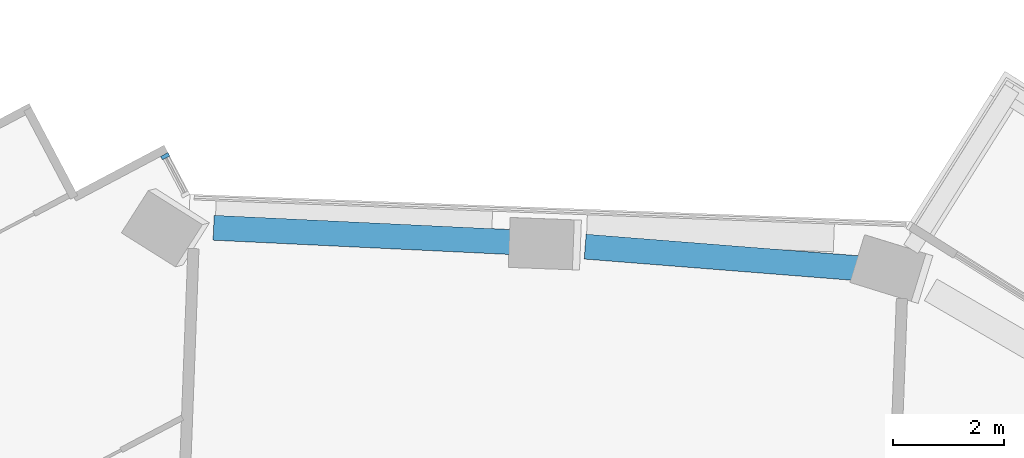
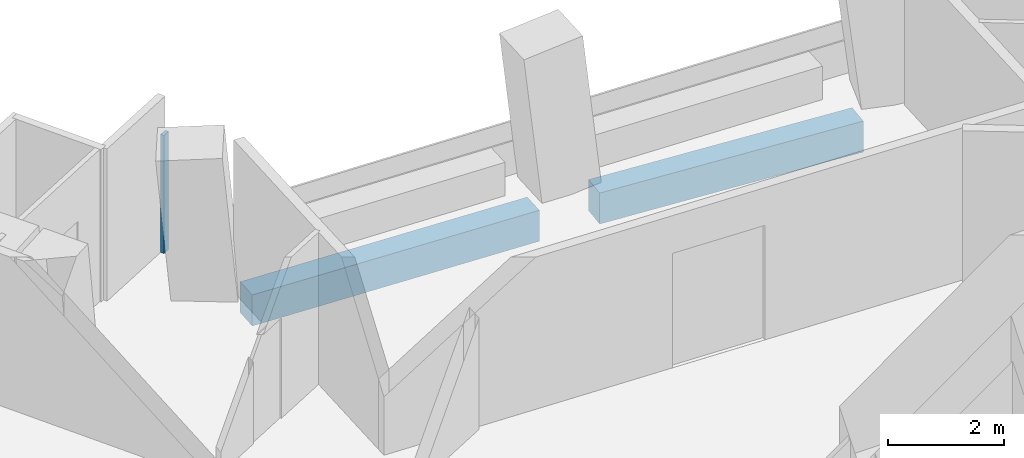
# One storey, part 8 of 23: 2 beams, 1 member, 1 element without a shape of its own.
"""IFC4 building model written with IfcOpenShell, lengths in metres."""

from ifc_helpers import new_model, si_unit, direction, frame, origin, origin_2d, place, context, subcontext, project, spatial, rectangle, extrude, material, layer, layer_set, material_profile, profile_set, type_object, element, aggregate, save


model = new_model("IFC4")

# Units and contexts
model_context = context("Model", 3, precision=1e-05, world=origin(), true_north=direction((0.0, 1.0)))
body_context = subcontext(model_context, "Body", "Model", "MODEL_VIEW")
ifc_project = project(units=[si_unit("LENGTHUNIT", "METRE"), si_unit("AREAUNIT", "SQUARE_METRE"), si_unit("VOLUMEUNIT", "CUBIC_METRE"), si_unit("PLANEANGLEUNIT", "RADIAN"), si_unit("MASSUNIT", "GRAM", prefix="KILO")], contexts=[model_context])

# Site, building, storey
site_placement = place(None, origin())
site = spatial("IfcSite", under=ifc_project, at=site_placement, CompositionType="ELEMENT")
building_placement = place(site_placement, origin())
building = spatial("IfcBuilding", under=site, at=building_placement, Name="Verdalira Terraces Hotel", CompositionType="ELEMENT")
storey_placement = place(building_placement, frame((0.0, 0.0, 147.0)))
storey = spatial("IfcBuildingStorey", under=building, at=storey_placement, Name="L35", CompositionType="ELEMENT", Elevation=147.0)

# Curtain wall, member
ifc_material_1 = material(Name="Clear glass", Category="glass")
ifc_layer = layer(ifc_material_1, 0.14990234375)
ifc_layer_set = layer_set([ifc_layer], Name="CW2 curtain wall")
curtain_wall_type = type_object("IfcCurtainWallType", Name="CW2 curtain wall", PredefinedType="NOTDEFINED", material=ifc_layer_set)
curtain_wall_placement = place(storey_placement, origin())
curtain_wall = element("IfcCurtainWall", 1, at=curtain_wall_placement, inside=storey, type_object=curtain_wall_type, Name="CW2 curtain wall L35 edge 0", PredefinedType="NOTDEFINED")
ifc_material_2 = material(Name="Terracotta frame", Category="masonry")
ifc_material_profile_1 = material_profile(ifc_material_2, rectangle(XDim=0.070068, YDim=0.149902, at=origin_2d()), Name="MU 70x150")
ifc_profile_set_1 = profile_set([ifc_material_profile_1], Name="Terracotta frame")
member_type = type_object("IfcMemberType", Name="CW2 mullion 70x150", PredefinedType="MULLION", material=ifc_profile_set_1)
member_placement = place(storey_placement, frame((-6.028076, 25.171631, 0.0), z_axis=(0.0, 0.0, 1.0), x_axis=(-0.467004081, 0.88425516, 0.0)))
member = element("IfcMember", 2, at=member_placement, type_object=member_type, Name="CW2 mullion", PredefinedType="MULLION", context=body_context, shape_type="SweptSolid", body=[
    extrude(rectangle(XDim=0.070068, YDim=0.149902, at=origin_2d()), origin(), (0.0, 0.0, 1.0), 2.475098),
])
aggregate(curtain_wall, [member])

# Beams
ifc_material_3 = material(Name="Concrete C50", Category="concrete")
ifc_material_profile_2 = material_profile(ifc_material_3, rectangle(XDim=0.449951, YDim=0.649902, at=origin_2d()), Name="RC 450X650")
ifc_profile_set_2 = profile_set([ifc_material_profile_2], Name="Concrete C50")
beam_type = type_object("IfcBeamType", Name="Spandrel beam RC 450X650 C50", PredefinedType="SPANDREL", material=ifc_profile_set_2)
beam_1_placement = place(storey_placement, frame((6.54541, 23.145996, -0.63501), z_axis=(-0.996878116, 0.078955823, 0.0), x_axis=(-0.078955823, -0.996878116, 0.0)))
element("IfcBeam", 3, at=beam_1_placement, inside=storey, type_object=beam_type, Name="Spandrel beam B22", PredefinedType="SPANDREL", context=body_context, shape_type="SweptSolid", body=[
    extrude(rectangle(XDim=0.449951, YDim=0.649902, at=origin_2d()), origin(), (0.0, 0.0, 1.0), 5.015381),
])
beam_2_placement = place(storey_placement, frame((0.384277, 23.615967, -0.63501), z_axis=(-0.998845614, 0.048035818, 0.0), x_axis=(-0.048035818, -0.998845614, 0.0)))
element("IfcBeam", 4, at=beam_2_placement, inside=storey, type_object=beam_type, Name="Spandrel beam B23", PredefinedType="SPANDREL", context=body_context, shape_type="SweptSolid", body=[
    extrude(rectangle(XDim=0.449951, YDim=0.649902, at=origin_2d()), origin(), (0.0, 0.0, 1.0), 5.544922),
])

save(model, "model.ifc")
